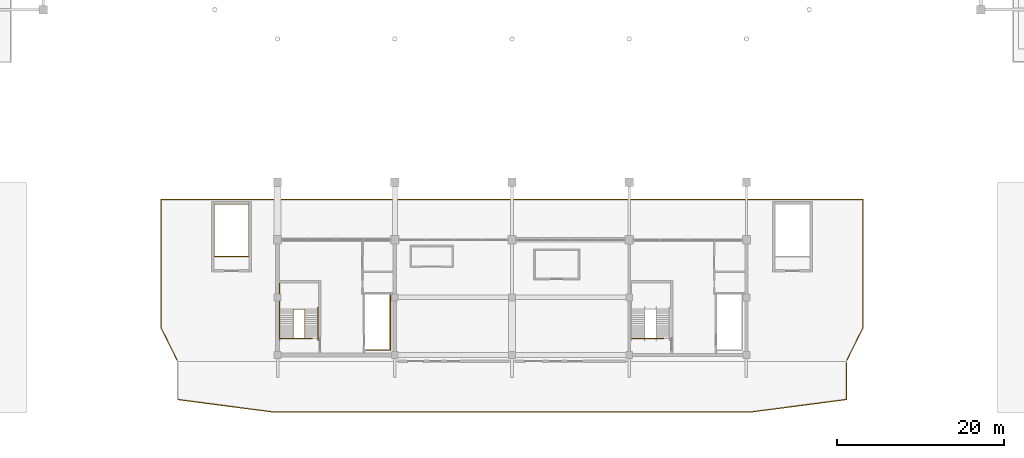
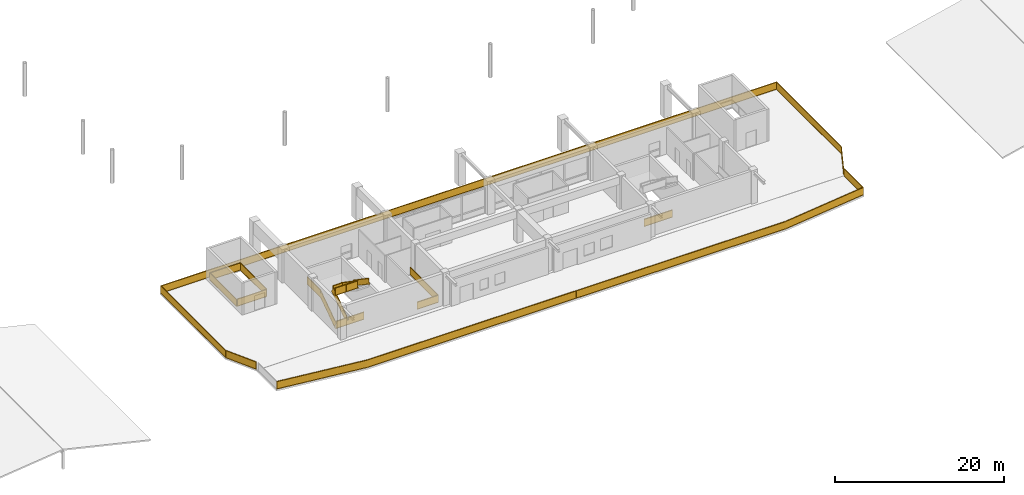
# One storey, part 80 of 91: 10 railings.
"""IFC4 building model written with IfcOpenShell, lengths in metres."""

from ifc_helpers import new_model, si_unit, direction, frame, origin, origin_2d, place, context, subcontext, project, spatial, rectangle, extrude, material, type_object, element, save


model = new_model("IFC4")

# Units and contexts
model_context = context("Model", 3, precision=1e-05, world=origin(), true_north=direction((0.0, 1.0)))
body_context = subcontext(model_context, "Body", "Model", "MODEL_VIEW")
ifc_project = project(units=[si_unit("LENGTHUNIT", "METRE"), si_unit("AREAUNIT", "SQUARE_METRE"), si_unit("VOLUMEUNIT", "CUBIC_METRE"), si_unit("PLANEANGLEUNIT", "RADIAN"), si_unit("MASSUNIT", "GRAM", prefix="KILO")], contexts=[model_context])

# Site, building, storey
site_placement = place(None, origin())
site = spatial("IfcSite", under=ifc_project, at=site_placement, CompositionType="ELEMENT")
building_placement = place(site_placement, origin())
building = spatial("IfcBuilding", under=site, at=building_placement, Name="Linyun Crest Stadium", CompositionType="ELEMENT")
storey_placement = place(building_placement, frame((0.0, 0.0, 11.39990234375)))
storey = spatial("IfcBuildingStorey", under=building, at=storey_placement, Name="L03", CompositionType="ELEMENT", Elevation=11.39990234375)

# Railings
ifc_material_1 = material(Name="Verdigris painted steel botanical balustrade", Category="steel")
railing_type_1 = type_object("IfcRailingType", Name="GR01", PredefinedType="BALUSTRADE", material=ifc_material_1)
railing_1_placement = place(storey_placement, frame((39.93994140625, -88.179931640625, 0.0)))
element("IfcRailing", 1, at=railing_1_placement, inside=storey, type_object=railing_type_1, Name="Slab edge balustrade GR01 274", PredefinedType="BALUSTRADE", context=body_context, shape_type="SweptSolid", body=[
    extrude(rectangle(XDim=0.06005859375, YDim=0.06005859375, at=origin_2d()), frame((0.0, 0.0, 1.119873046875), z_axis=(0.0, -1.0, 0.0), x_axis=(1.0, 0.0, 0.0)), (0.0, 0.0, 1.0), 4.39208984375),
    extrude(rectangle(XDim=0.030029296875, YDim=1.02978515625, at=origin_2d()), frame((0.0, 0.0, 0.574951171875), z_axis=(0.0, -1.0, 0.0), x_axis=(1.0, 0.0, 0.0)), (0.0, 0.0, 1.0), 4.39208984375),
    extrude(rectangle(XDim=0.06005859375, YDim=0.06005859375, at=origin_2d()), frame((0.0, 0.0, 0.030029296875), z_axis=(0.0, -1.0, 0.0), x_axis=(1.0, 0.0, 0.0)), (0.0, 0.0, 1.0), 4.39208984375),
    extrude(rectangle(XDim=0.06005859375, YDim=0.06005859375, at=origin_2d()), frame((0.0, -4.39208984375, 1.119873046875), z_axis=(-0.99159769784, -0.129359984689, 0.0), x_axis=(0.129359984689, -0.99159769784, 0.0)), (0.0, 0.0, 1.0), 11.540771484375),
    extrude(rectangle(XDim=0.030029296875, YDim=1.02978515625, at=origin_2d()), frame((0.0, -4.39208984375, 0.574951171875), z_axis=(-0.99159769784, -0.129359984689, 0.0), x_axis=(0.129359984689, -0.99159769784, 0.0)), (0.0, 0.0, 1.0), 11.540771484375),
    extrude(rectangle(XDim=0.06005859375, YDim=0.06005859375, at=origin_2d()), frame((0.0, -4.39208984375, 0.030029296875), z_axis=(-0.99159769784, -0.129359984689, 0.0), x_axis=(0.129359984689, -0.99159769784, 0.0)), (0.0, 0.0, 1.0), 11.540771484375),
    extrude(rectangle(XDim=0.06005859375, YDim=0.06005859375, at=origin_2d()), frame((-11.44384765625, -5.885009765625, 1.119873046875), z_axis=(-1.0, 0.0, 0.0), x_axis=(0.0, -1.0, 0.0)), (0.0, 0.0, 1.0), 56.9921875),
    extrude(rectangle(XDim=0.030029296875, YDim=1.02978515625, at=origin_2d()), frame((-11.44384765625, -5.885009765625, 0.574951171875), z_axis=(-1.0, 0.0, 0.0), x_axis=(0.0, -1.0, 0.0)), (0.0, 0.0, 1.0), 56.9921875),
    extrude(rectangle(XDim=0.06005859375, YDim=0.06005859375, at=origin_2d()), frame((-11.44384765625, -5.885009765625, 0.030029296875), z_axis=(-1.0, 0.0, 0.0), x_axis=(0.0, -1.0, 0.0)), (0.0, 0.0, 1.0), 56.9921875),
    extrude(rectangle(XDim=0.06005859375, YDim=0.06005859375, at=origin_2d()), frame((-68.43603515625, -5.885009765625, 1.119873046875), z_axis=(-0.99159769784, 0.129359984689, 0.0), x_axis=(-0.129359984689, -0.99159769784, 0.0)), (0.0, 0.0, 1.0), 11.540771484375),
    extrude(rectangle(XDim=0.030029296875, YDim=1.02978515625, at=origin_2d()), frame((-68.43603515625, -5.885009765625, 0.574951171875), z_axis=(-0.99159769784, 0.129359984689, 0.0), x_axis=(-0.129359984689, -0.99159769784, 0.0)), (0.0, 0.0, 1.0), 11.540771484375),
    extrude(rectangle(XDim=0.06005859375, YDim=0.06005859375, at=origin_2d()), frame((-68.43603515625, -5.885009765625, 0.030029296875), z_axis=(-0.99159769784, 0.129359984689, 0.0), x_axis=(-0.129359984689, -0.99159769784, 0.0)), (0.0, 0.0, 1.0), 11.540771484375),
    extrude(rectangle(XDim=0.050048828125, YDim=0.050048828125, at=origin_2d()), origin(), (0.0, 0.0, 1.0), 1.14990234375),
    extrude(rectangle(XDim=0.050048828125, YDim=0.050048828125, at=origin_2d()), frame((0.0, -4.39208984375, 0.0)), (0.0, 0.0, 1.0), 1.14990234375),
    extrude(rectangle(XDim=0.050048828125, YDim=0.050048828125, at=origin_2d()), frame((-3.814697265625, -4.8896484375, 0.0)), (0.0, 0.0, 1.0), 1.14990234375),
    extrude(rectangle(XDim=0.050048828125, YDim=0.050048828125, at=origin_2d()), frame((-7.629150390625, -5.387451171875, 0.0)), (0.0, 0.0, 1.0), 1.14990234375),
    extrude(rectangle(XDim=0.050048828125, YDim=0.050048828125, at=origin_2d()), frame((-11.44384765625, -5.885009765625, 0.0)), (0.0, 0.0, 1.0), 1.14990234375),
    extrude(rectangle(XDim=0.050048828125, YDim=0.050048828125, at=origin_2d()), frame((-16.193115234375, -5.885009765625, 0.0)), (0.0, 0.0, 1.0), 1.14990234375),
    extrude(rectangle(XDim=0.050048828125, YDim=0.050048828125, at=origin_2d()), frame((-20.942626953125, -5.885009765625, 0.0)), (0.0, 0.0, 1.0), 1.14990234375),
    extrude(rectangle(XDim=0.050048828125, YDim=0.050048828125, at=origin_2d()), frame((-25.69189453125, -5.885009765625, 0.0)), (0.0, 0.0, 1.0), 1.14990234375),
    extrude(rectangle(XDim=0.050048828125, YDim=0.050048828125, at=origin_2d()), frame((-30.441162109375, -5.885009765625, 0.0)), (0.0, 0.0, 1.0), 1.14990234375),
    extrude(rectangle(XDim=0.050048828125, YDim=0.050048828125, at=origin_2d()), frame((-35.190673828125, -5.885009765625, 0.0)), (0.0, 0.0, 1.0), 1.14990234375),
    extrude(rectangle(XDim=0.050048828125, YDim=0.050048828125, at=origin_2d()), frame((-39.93994140625, -5.885009765625, 0.0)), (0.0, 0.0, 1.0), 1.14990234375),
    extrude(rectangle(XDim=0.050048828125, YDim=0.050048828125, at=origin_2d()), frame((-44.689208984375, -5.885009765625, 0.0)), (0.0, 0.0, 1.0), 1.14990234375),
    extrude(rectangle(XDim=0.050048828125, YDim=0.050048828125, at=origin_2d()), frame((-49.438720703125, -5.885009765625, 0.0)), (0.0, 0.0, 1.0), 1.14990234375),
    extrude(rectangle(XDim=0.050048828125, YDim=0.050048828125, at=origin_2d()), frame((-54.18798828125, -5.885009765625, 0.0)), (0.0, 0.0, 1.0), 1.14990234375),
    extrude(rectangle(XDim=0.050048828125, YDim=0.050048828125, at=origin_2d()), frame((-58.937255859375, -5.885009765625, 0.0)), (0.0, 0.0, 1.0), 1.14990234375),
    extrude(rectangle(XDim=0.050048828125, YDim=0.050048828125, at=origin_2d()), frame((-63.686767578125, -5.885009765625, 0.0)), (0.0, 0.0, 1.0), 1.14990234375),
    extrude(rectangle(XDim=0.050048828125, YDim=0.050048828125, at=origin_2d()), frame((-68.43603515625, -5.885009765625, 0.0)), (0.0, 0.0, 1.0), 1.14990234375),
    extrude(rectangle(XDim=0.050048828125, YDim=0.050048828125, at=origin_2d()), frame((-72.250732421875, -5.387451171875, 0.0)), (0.0, 0.0, 1.0), 1.14990234375),
    extrude(rectangle(XDim=0.050048828125, YDim=0.050048828125, at=origin_2d()), frame((-76.065185546875, -4.8896484375, 0.0)), (0.0, 0.0, 1.0), 1.14990234375),
    extrude(rectangle(XDim=0.050048828125, YDim=0.050048828125, at=origin_2d()), frame((-79.8798828125, -4.39208984375, 0.0)), (0.0, 0.0, 1.0), 1.14990234375),
])
ifc_material_2 = material(Name="Galvanized and powder-coated steel bowl safety barrier", Category="steel")
railing_type_2 = type_object("IfcRailingType", Name="GR02", PredefinedType="GUARDRAIL", material=ifc_material_2)
railing_2_placement = place(storey_placement, frame((-40.012939453125, -87.841064453125, 0.0)))
element("IfcRailing", 2, at=railing_2_placement, inside=storey, type_object=railing_type_2, Name="Slab edge balustrade GR02 261", PredefinedType="GUARDRAIL", context=body_context, shape_type="SweptSolid", body=[
    extrude(rectangle(XDim=0.06005859375, YDim=0.06005859375, at=origin_2d()), frame((0.0, 0.0, 1.090087890625), z_axis=(-0.447122956345, 0.894472504837, 0.0), x_axis=(-0.894472504837, -0.447122956345, 0.0)), (0.0, 0.0, 1.0), 4.309814453125),
    extrude(rectangle(XDim=0.030029296875, YDim=1.0, at=origin_2d()), frame((0.0, 0.0, 0.56005859375), z_axis=(-0.447122956345, 0.894472504837, 0.0), x_axis=(-0.894472504837, -0.447122956345, 0.0)), (0.0, 0.0, 1.0), 4.309814453125),
    extrude(rectangle(XDim=0.06005859375, YDim=0.06005859375, at=origin_2d()), frame((0.0, 0.0, 0.030029296875), z_axis=(-0.447122956345, 0.894472504837, 0.0), x_axis=(-0.894472504837, -0.447122956345, 0.0)), (0.0, 0.0, 1.0), 4.309814453125),
    extrude(rectangle(XDim=0.06005859375, YDim=0.06005859375, at=origin_2d()), frame((-1.927001953125, 3.85498046875, 1.090087890625), z_axis=(0.0, 1.0, 0.0), x_axis=(-1.0, 0.0, 0.0)), (0.0, 0.0, 1.0), 15.326171875),
    extrude(rectangle(XDim=0.030029296875, YDim=1.0, at=origin_2d()), frame((-1.927001953125, 3.85498046875, 0.56005859375), z_axis=(0.0, 1.0, 0.0), x_axis=(-1.0, 0.0, 0.0)), (0.0, 0.0, 1.0), 15.326171875),
    extrude(rectangle(XDim=0.06005859375, YDim=0.06005859375, at=origin_2d()), frame((-1.927001953125, 3.85498046875, 0.030029296875), z_axis=(0.0, 1.0, 0.0), x_axis=(-1.0, 0.0, 0.0)), (0.0, 0.0, 1.0), 15.326171875),
    extrude(rectangle(XDim=0.06005859375, YDim=0.06005859375, at=origin_2d()), frame((-1.927001953125, 19.18115234375, 1.090087890625), z_axis=(1.0, 0.0, 0.0), x_axis=(0.0, 1.0, 0.0)), (0.0, 0.0, 1.0), 83.8798828125),
    extrude(rectangle(XDim=0.030029296875, YDim=1.0, at=origin_2d()), frame((-1.927001953125, 19.18115234375, 0.56005859375), z_axis=(1.0, 0.0, 0.0), x_axis=(0.0, 1.0, 0.0)), (0.0, 0.0, 1.0), 83.8798828125),
    extrude(rectangle(XDim=0.06005859375, YDim=0.06005859375, at=origin_2d()), frame((-1.927001953125, 19.18115234375, 0.030029296875), z_axis=(1.0, 0.0, 0.0), x_axis=(0.0, 1.0, 0.0)), (0.0, 0.0, 1.0), 83.8798828125),
    extrude(rectangle(XDim=0.06005859375, YDim=0.06005859375, at=origin_2d()), frame((81.952880859375, 19.18115234375, 1.090087890625), z_axis=(0.0, -1.0, 0.0), x_axis=(1.0, 0.0, 0.0)), (0.0, 0.0, 1.0), 15.326171875),
    extrude(rectangle(XDim=0.030029296875, YDim=1.0, at=origin_2d()), frame((81.952880859375, 19.18115234375, 0.56005859375), z_axis=(0.0, -1.0, 0.0), x_axis=(1.0, 0.0, 0.0)), (0.0, 0.0, 1.0), 15.326171875),
    extrude(rectangle(XDim=0.06005859375, YDim=0.06005859375, at=origin_2d()), frame((81.952880859375, 19.18115234375, 0.030029296875), z_axis=(0.0, -1.0, 0.0), x_axis=(1.0, 0.0, 0.0)), (0.0, 0.0, 1.0), 15.326171875),
    extrude(rectangle(XDim=0.06005859375, YDim=0.06005859375, at=origin_2d()), frame((81.952880859375, 3.85498046875, 1.090087890625), z_axis=(-0.447122956345, -0.894472504837, 0.0), x_axis=(0.894472504837, -0.447122956345, 0.0)), (0.0, 0.0, 1.0), 4.309814453125),
    extrude(rectangle(XDim=0.030029296875, YDim=1.0, at=origin_2d()), frame((81.952880859375, 3.85498046875, 0.56005859375), z_axis=(-0.447122956345, -0.894472504837, 0.0), x_axis=(0.894472504837, -0.447122956345, 0.0)), (0.0, 0.0, 1.0), 4.309814453125),
    extrude(rectangle(XDim=0.06005859375, YDim=0.06005859375, at=origin_2d()), frame((81.952880859375, 3.85498046875, 0.030029296875), z_axis=(-0.447122956345, -0.894472504837, 0.0), x_axis=(0.894472504837, -0.447122956345, 0.0)), (0.0, 0.0, 1.0), 4.309814453125),
    extrude(rectangle(XDim=0.050048828125, YDim=0.050048828125, at=origin_2d()), origin(), (0.0, 0.0, 1.0), 1.1201171875),
    extrude(rectangle(XDim=0.050048828125, YDim=0.050048828125, at=origin_2d()), frame((-1.927001953125, 3.85498046875, 0.0)), (0.0, 0.0, 1.0), 1.1201171875),
    extrude(rectangle(XDim=0.050048828125, YDim=0.050048828125, at=origin_2d()), frame((-1.927001953125, 7.6865234375, 0.0)), (0.0, 0.0, 1.0), 1.1201171875),
    extrude(rectangle(XDim=0.050048828125, YDim=0.050048828125, at=origin_2d()), frame((-1.927001953125, 11.51806640625, 0.0)), (0.0, 0.0, 1.0), 1.1201171875),
    extrude(rectangle(XDim=0.050048828125, YDim=0.050048828125, at=origin_2d()), frame((-1.927001953125, 15.349609375, 0.0)), (0.0, 0.0, 1.0), 1.1201171875),
    extrude(rectangle(XDim=0.050048828125, YDim=0.050048828125, at=origin_2d()), frame((-1.927001953125, 19.18115234375, 0.0)), (0.0, 0.0, 1.0), 1.1201171875),
    extrude(rectangle(XDim=0.050048828125, YDim=0.050048828125, at=origin_2d()), frame((2.73291015625, 19.18115234375, 0.0)), (0.0, 0.0, 1.0), 1.1201171875),
    extrude(rectangle(XDim=0.050048828125, YDim=0.050048828125, at=origin_2d()), frame((7.39306640625, 19.18115234375, 0.0)), (0.0, 0.0, 1.0), 1.1201171875),
    extrude(rectangle(XDim=0.050048828125, YDim=0.050048828125, at=origin_2d()), frame((12.052978515625, 19.18115234375, 0.0)), (0.0, 0.0, 1.0), 1.1201171875),
    extrude(rectangle(XDim=0.050048828125, YDim=0.050048828125, at=origin_2d()), frame((16.712890625, 19.18115234375, 0.0)), (0.0, 0.0, 1.0), 1.1201171875),
    extrude(rectangle(XDim=0.050048828125, YDim=0.050048828125, at=origin_2d()), frame((21.373046875, 19.18115234375, 0.0)), (0.0, 0.0, 1.0), 1.1201171875),
    extrude(rectangle(XDim=0.050048828125, YDim=0.050048828125, at=origin_2d()), frame((26.032958984375, 19.18115234375, 0.0)), (0.0, 0.0, 1.0), 1.1201171875),
    extrude(rectangle(XDim=0.050048828125, YDim=0.050048828125, at=origin_2d()), frame((30.69287109375, 19.18115234375, 0.0)), (0.0, 0.0, 1.0), 1.1201171875),
    extrude(rectangle(XDim=0.050048828125, YDim=0.050048828125, at=origin_2d()), frame((35.35302734375, 19.18115234375, 0.0)), (0.0, 0.0, 1.0), 1.1201171875),
    extrude(rectangle(XDim=0.050048828125, YDim=0.050048828125, at=origin_2d()), frame((40.012939453125, 19.18115234375, 0.0)), (0.0, 0.0, 1.0), 1.1201171875),
    extrude(rectangle(XDim=0.050048828125, YDim=0.050048828125, at=origin_2d()), frame((44.6728515625, 19.18115234375, 0.0)), (0.0, 0.0, 1.0), 1.1201171875),
    extrude(rectangle(XDim=0.050048828125, YDim=0.050048828125, at=origin_2d()), frame((49.3330078125, 19.18115234375, 0.0)), (0.0, 0.0, 1.0), 1.1201171875),
    extrude(rectangle(XDim=0.050048828125, YDim=0.050048828125, at=origin_2d()), frame((53.992919921875, 19.18115234375, 0.0)), (0.0, 0.0, 1.0), 1.1201171875),
    extrude(rectangle(XDim=0.050048828125, YDim=0.050048828125, at=origin_2d()), frame((58.65283203125, 19.18115234375, 0.0)), (0.0, 0.0, 1.0), 1.1201171875),
    extrude(rectangle(XDim=0.050048828125, YDim=0.050048828125, at=origin_2d()), frame((63.31298828125, 19.18115234375, 0.0)), (0.0, 0.0, 1.0), 1.1201171875),
    extrude(rectangle(XDim=0.050048828125, YDim=0.050048828125, at=origin_2d()), frame((67.972900390625, 19.18115234375, 0.0)), (0.0, 0.0, 1.0), 1.1201171875),
    extrude(rectangle(XDim=0.050048828125, YDim=0.050048828125, at=origin_2d()), frame((72.6328125, 19.18115234375, 0.0)), (0.0, 0.0, 1.0), 1.1201171875),
    extrude(rectangle(XDim=0.050048828125, YDim=0.050048828125, at=origin_2d()), frame((77.29296875, 19.18115234375, 0.0)), (0.0, 0.0, 1.0), 1.1201171875),
    extrude(rectangle(XDim=0.050048828125, YDim=0.050048828125, at=origin_2d()), frame((81.952880859375, 19.18115234375, 0.0)), (0.0, 0.0, 1.0), 1.1201171875),
    extrude(rectangle(XDim=0.050048828125, YDim=0.050048828125, at=origin_2d()), frame((81.952880859375, 15.349609375, 0.0)), (0.0, 0.0, 1.0), 1.1201171875),
    extrude(rectangle(XDim=0.050048828125, YDim=0.050048828125, at=origin_2d()), frame((81.952880859375, 11.51806640625, 0.0)), (0.0, 0.0, 1.0), 1.1201171875),
    extrude(rectangle(XDim=0.050048828125, YDim=0.050048828125, at=origin_2d()), frame((81.952880859375, 7.6865234375, 0.0)), (0.0, 0.0, 1.0), 1.1201171875),
    extrude(rectangle(XDim=0.050048828125, YDim=0.050048828125, at=origin_2d()), frame((81.952880859375, 3.85498046875, 0.0)), (0.0, 0.0, 1.0), 1.1201171875),
    extrude(rectangle(XDim=0.050048828125, YDim=0.050048828125, at=origin_2d()), frame((80.02587890625, 0.0, 0.0)), (0.0, 0.0, 1.0), 1.1201171875),
])
railing_3_placement = place(storey_placement, frame((14.31494140625, -85.2900390625, 0.0)))
element("IfcRailing", 3, at=railing_3_placement, inside=storey, type_object=railing_type_2, Name="Slab edge balustrade GR02 264", PredefinedType="GUARDRAIL", context=body_context, shape_type="SweptSolid", body=[
    extrude(rectangle(XDim=0.06005859375, YDim=0.06005859375, at=origin_2d()), frame((0.0, 0.0, 1.090087890625), z_axis=(1.0, 0.0, 0.0), x_axis=(0.0, 1.0, 0.0)), (0.0, 0.0, 1.0), 3.78515625),
    extrude(rectangle(XDim=0.030029296875, YDim=1.0, at=origin_2d()), frame((0.0, 0.0, 0.56005859375), z_axis=(1.0, 0.0, 0.0), x_axis=(0.0, 1.0, 0.0)), (0.0, 0.0, 1.0), 3.78515625),
    extrude(rectangle(XDim=0.06005859375, YDim=0.06005859375, at=origin_2d()), frame((0.0, 0.0, 0.030029296875), z_axis=(1.0, 0.0, 0.0), x_axis=(0.0, 1.0, 0.0)), (0.0, 0.0, 1.0), 3.78515625),
    extrude(rectangle(XDim=0.050048828125, YDim=0.050048828125, at=origin_2d()), origin(), (0.0, 0.0, 1.0), 1.1201171875),
    extrude(rectangle(XDim=0.050048828125, YDim=0.050048828125, at=origin_2d()), frame((3.78515625, 0.0, 0.0)), (0.0, 0.0, 1.0), 1.1201171875),
])
railing_4_placement = place(storey_placement, frame((-17.419921875, -86.659912109375, 0.0)))
element("IfcRailing", 4, at=railing_4_placement, inside=storey, type_object=railing_type_2, Name="Slab edge balustrade GR02 265", PredefinedType="GUARDRAIL", context=body_context, shape_type="SweptSolid", body=[
    extrude(rectangle(XDim=0.06005859375, YDim=0.06005859375, at=origin_2d()), frame((0.0, 0.0, 1.090087890625), z_axis=(1.0, 0.0, 0.0), x_axis=(0.0, 1.0, 0.0)), (0.0, 0.0, 1.0), 2.8798828125),
    extrude(rectangle(XDim=0.030029296875, YDim=1.0, at=origin_2d()), frame((0.0, 0.0, 0.56005859375), z_axis=(1.0, 0.0, 0.0), x_axis=(0.0, 1.0, 0.0)), (0.0, 0.0, 1.0), 2.8798828125),
    extrude(rectangle(XDim=0.06005859375, YDim=0.06005859375, at=origin_2d()), frame((0.0, 0.0, 0.030029296875), z_axis=(1.0, 0.0, 0.0), x_axis=(0.0, 1.0, 0.0)), (0.0, 0.0, 1.0), 2.8798828125),
    extrude(rectangle(XDim=0.06005859375, YDim=0.06005859375, at=origin_2d()), frame((2.8798828125, 0.0, 1.090087890625), z_axis=(0.0, 1.0, 0.0), x_axis=(-1.0, 0.0, 0.0)), (0.0, 0.0, 1.0), 6.5498046875),
    extrude(rectangle(XDim=0.030029296875, YDim=1.0, at=origin_2d()), frame((2.8798828125, 0.0, 0.56005859375), z_axis=(0.0, 1.0, 0.0), x_axis=(-1.0, 0.0, 0.0)), (0.0, 0.0, 1.0), 6.5498046875),
    extrude(rectangle(XDim=0.06005859375, YDim=0.06005859375, at=origin_2d()), frame((2.8798828125, 0.0, 0.030029296875), z_axis=(0.0, 1.0, 0.0), x_axis=(-1.0, 0.0, 0.0)), (0.0, 0.0, 1.0), 6.5498046875),
    extrude(rectangle(XDim=0.050048828125, YDim=0.050048828125, at=origin_2d()), origin(), (0.0, 0.0, 1.0), 1.1201171875),
    extrude(rectangle(XDim=0.050048828125, YDim=0.050048828125, at=origin_2d()), frame((2.8798828125, 0.0, 0.0)), (0.0, 0.0, 1.0), 1.1201171875),
    extrude(rectangle(XDim=0.050048828125, YDim=0.050048828125, at=origin_2d()), frame((2.8798828125, 3.27490234375, 0.0)), (0.0, 0.0, 1.0), 1.1201171875),
    extrude(rectangle(XDim=0.050048828125, YDim=0.050048828125, at=origin_2d()), frame((2.8798828125, 6.5498046875, 0.0)), (0.0, 0.0, 1.0), 1.1201171875),
])
railing_5_placement = place(storey_placement, frame((-27.635009765625, -85.2900390625, 0.0)))
element("IfcRailing", 5, at=railing_5_placement, inside=storey, type_object=railing_type_2, Name="Slab edge balustrade GR02 266", PredefinedType="GUARDRAIL", context=body_context, shape_type="SweptSolid", body=[
    extrude(rectangle(XDim=0.06005859375, YDim=0.06005859375, at=origin_2d()), frame((0.0, 0.0, 1.090087890625), z_axis=(1.0, 0.0, 0.0), x_axis=(0.0, 1.0, 0.0)), (0.0, 0.0, 1.0), 3.735107421875),
    extrude(rectangle(XDim=0.030029296875, YDim=1.0, at=origin_2d()), frame((0.0, 0.0, 0.56005859375), z_axis=(1.0, 0.0, 0.0), x_axis=(0.0, 1.0, 0.0)), (0.0, 0.0, 1.0), 3.735107421875),
    extrude(rectangle(XDim=0.06005859375, YDim=0.06005859375, at=origin_2d()), frame((0.0, 0.0, 0.030029296875), z_axis=(1.0, 0.0, 0.0), x_axis=(0.0, 1.0, 0.0)), (0.0, 0.0, 1.0), 3.735107421875),
    extrude(rectangle(XDim=0.050048828125, YDim=0.050048828125, at=origin_2d()), origin(), (0.0, 0.0, 1.0), 1.1201171875),
    extrude(rectangle(XDim=0.050048828125, YDim=0.050048828125, at=origin_2d()), frame((3.735107421875, 0.0, 0.0)), (0.0, 0.0, 1.0), 1.1201171875),
])
railing_6_placement = place(storey_placement, frame((-35.4599609375, -75.510009765625, 0.0)))
element("IfcRailing", 6, at=railing_6_placement, inside=storey, type_object=railing_type_2, Name="Slab edge balustrade GR02 267", PredefinedType="GUARDRAIL", context=body_context, shape_type="SweptSolid", body=[
    extrude(rectangle(XDim=0.06005859375, YDim=0.06005859375, at=origin_2d()), frame((0.0, 0.0, 1.090087890625), z_axis=(1.0, 0.0, 0.0), x_axis=(0.0, 1.0, 0.0)), (0.0, 0.0, 1.0), 3.919921875),
    extrude(rectangle(XDim=0.030029296875, YDim=1.0, at=origin_2d()), frame((0.0, 0.0, 0.56005859375), z_axis=(1.0, 0.0, 0.0), x_axis=(0.0, 1.0, 0.0)), (0.0, 0.0, 1.0), 3.919921875),
    extrude(rectangle(XDim=0.06005859375, YDim=0.06005859375, at=origin_2d()), frame((0.0, 0.0, 0.030029296875), z_axis=(1.0, 0.0, 0.0), x_axis=(0.0, 1.0, 0.0)), (0.0, 0.0, 1.0), 3.919921875),
    extrude(rectangle(XDim=0.050048828125, YDim=0.050048828125, at=origin_2d()), origin(), (0.0, 0.0, 1.0), 1.1201171875),
    extrude(rectangle(XDim=0.050048828125, YDim=0.050048828125, at=origin_2d()), frame((3.919921875, 0.0, 0.0)), (0.0, 0.0, 1.0), 1.1201171875),
])
ifc_material_3 = material(Name="Painted steel stairwell safety guard", Category="steel")
railing_type_3 = type_object("IfcRailingType", Name="GR03", PredefinedType="GUARDRAIL", material=ifc_material_3)
railing_7_placement = place(storey_placement, frame((-27.7451171875, -85.260009765625, 0.0)))
element("IfcRailing", 7, at=railing_7_placement, inside=storey, type_object=railing_type_3, Name="STR-09-L03 outer guard", PredefinedType="GUARDRAIL", context=body_context, shape_type="SweptSolid", body=[
    extrude(rectangle(XDim=0.06005859375, YDim=0.06005859375, at=origin_2d()), frame((0.0, 0.0, 1.090087890625), z_axis=(0.0, 0.824712752785, 0.565551832633), x_axis=(-1.0, 0.0, 0.0)), (0.0, 0.0, 1.0), 4.243896484375),
    extrude(rectangle(XDim=0.030029296875, YDim=1.0, at=origin_2d()), frame((0.0, 0.0, 0.56005859375), z_axis=(0.0, 0.824712752785, 0.565551832633), x_axis=(-1.0, 0.0, 0.0)), (0.0, 0.0, 1.0), 4.243896484375),
    extrude(rectangle(XDim=0.06005859375, YDim=0.06005859375, at=origin_2d()), frame((0.0, 0.0, 0.030029296875), z_axis=(0.0, 0.824712752785, 0.565551832633), x_axis=(-1.0, 0.0, 0.0)), (0.0, 0.0, 1.0), 4.243896484375),
    extrude(rectangle(XDim=0.06005859375, YDim=0.06005859375, at=origin_2d()), frame((0.0, 3.5, 3.490234375), z_axis=(0.0, 1.0, 0.0), x_axis=(-1.0, 0.0, 0.0)), (0.0, 0.0, 1.0), 3.080078125),
    extrude(rectangle(XDim=0.030029296875, YDim=1.0, at=origin_2d()), frame((0.0, 3.5, 2.960205078125), z_axis=(0.0, 1.0, 0.0), x_axis=(-1.0, 0.0, 0.0)), (0.0, 0.0, 1.0), 3.080078125),
    extrude(rectangle(XDim=0.06005859375, YDim=0.06005859375, at=origin_2d()), frame((0.0, 3.5, 2.43017578125), z_axis=(0.0, 1.0, 0.0), x_axis=(-1.0, 0.0, 0.0)), (0.0, 0.0, 1.0), 3.080078125),
    extrude(rectangle(XDim=0.050048828125, YDim=0.050048828125, at=origin_2d()), origin(), (0.0, 0.0, 1.0), 1.1201171875),
    extrude(rectangle(XDim=0.050048828125, YDim=0.050048828125, at=origin_2d()), frame((0.0, 1.166748046875, 0.800048828125)), (0.0, 0.0, 1.0), 1.1201171875),
    extrude(rectangle(XDim=0.050048828125, YDim=0.050048828125, at=origin_2d()), frame((0.0, 2.333251953125, 1.60009765625)), (0.0, 0.0, 1.0), 1.1201171875),
    extrude(rectangle(XDim=0.050048828125, YDim=0.050048828125, at=origin_2d()), frame((0.0, 3.5, 2.400146484375)), (0.0, 0.0, 1.0), 1.1201171875),
    extrude(rectangle(XDim=0.050048828125, YDim=0.050048828125, at=origin_2d()), frame((0.0, 5.0400390625, 2.400146484375)), (0.0, 0.0, 1.0), 1.1201171875),
    extrude(rectangle(XDim=0.050048828125, YDim=0.050048828125, at=origin_2d()), frame((0.0, 6.580078125, 2.400146484375)), (0.0, 0.0, 1.0), 1.1201171875),
])
railing_8_placement = place(storey_placement, frame((-26.10498046875, -85.280029296875, 0.0)))
element("IfcRailing", 8, at=railing_8_placement, inside=storey, type_object=railing_type_3, Name="STR-09-L03 inner well guard", PredefinedType="GUARDRAIL", context=body_context, shape_type="SweptSolid", body=[
    extrude(rectangle(XDim=0.06005859375, YDim=0.06005859375, at=origin_2d()), frame((0.0, 0.0, 1.090087890625), z_axis=(0.0, 0.826212794201, 0.563358162005), x_axis=(-1.0, 0.0, 0.0)), (0.0, 0.0, 1.0), 4.260498046875),
    extrude(rectangle(XDim=0.030029296875, YDim=1.0, at=origin_2d()), frame((0.0, 0.0, 0.56005859375), z_axis=(0.0, 0.826212794201, 0.563358162005), x_axis=(-1.0, 0.0, 0.0)), (0.0, 0.0, 1.0), 4.260498046875),
    extrude(rectangle(XDim=0.06005859375, YDim=0.06005859375, at=origin_2d()), frame((0.0, 0.0, 0.030029296875), z_axis=(0.0, 0.826212794201, 0.563358162005), x_axis=(-1.0, 0.0, 0.0)), (0.0, 0.0, 1.0), 4.260498046875),
    extrude(rectangle(XDim=0.06005859375, YDim=0.06005859375, at=origin_2d()), frame((0.0, 3.52001953125, 3.490234375), z_axis=(1.0, 0.0, 0.0), x_axis=(0.0, 1.0, 0.0)), (0.0, 0.0, 1.0), 1.3349609375),
    extrude(rectangle(XDim=0.030029296875, YDim=1.0, at=origin_2d()), frame((0.0, 3.52001953125, 2.960205078125), z_axis=(1.0, 0.0, 0.0), x_axis=(0.0, 1.0, 0.0)), (0.0, 0.0, 1.0), 1.3349609375),
    extrude(rectangle(XDim=0.06005859375, YDim=0.06005859375, at=origin_2d()), frame((0.0, 3.52001953125, 2.43017578125), z_axis=(1.0, 0.0, 0.0), x_axis=(0.0, 1.0, 0.0)), (0.0, 0.0, 1.0), 1.3349609375),
    extrude(rectangle(XDim=0.06005859375, YDim=0.06005859375, at=origin_2d()), frame((1.3349609375, 3.52001953125, 3.490234375), z_axis=(0.0, -0.826239466617, 0.563319042644), x_axis=(1.0, 0.0, 0.0)), (0.0, 0.0, 1.0), 4.26025390625),
    extrude(rectangle(XDim=0.030029296875, YDim=1.0, at=origin_2d()), frame((1.3349609375, 3.52001953125, 2.960205078125), z_axis=(0.0, -0.826239466617, 0.563319042644), x_axis=(1.0, 0.0, 0.0)), (0.0, 0.0, 1.0), 4.26025390625),
    extrude(rectangle(XDim=0.06005859375, YDim=0.06005859375, at=origin_2d()), frame((1.3349609375, 3.52001953125, 2.43017578125), z_axis=(0.0, -0.826239466617, 0.563319042644), x_axis=(1.0, 0.0, 0.0)), (0.0, 0.0, 1.0), 4.26025390625),
    extrude(rectangle(XDim=0.06005859375, YDim=0.06005859375, at=origin_2d()), frame((1.3349609375, 0.0, 5.89013671875), z_axis=(-1.0, 0.0, 0.0), x_axis=(0.0, -1.0, 0.0)), (0.0, 0.0, 1.0), 2.98486328125),
    extrude(rectangle(XDim=0.030029296875, YDim=1.0, at=origin_2d()), frame((1.3349609375, 0.0, 5.360107421875), z_axis=(-1.0, 0.0, 0.0), x_axis=(0.0, -1.0, 0.0)), (0.0, 0.0, 1.0), 2.98486328125),
    extrude(rectangle(XDim=0.06005859375, YDim=0.06005859375, at=origin_2d()), frame((1.3349609375, 0.0, 4.830078125), z_axis=(-1.0, 0.0, 0.0), x_axis=(0.0, -1.0, 0.0)), (0.0, 0.0, 1.0), 2.98486328125),
    extrude(rectangle(XDim=0.050048828125, YDim=0.050048828125, at=origin_2d()), origin(), (0.0, 0.0, 1.0), 1.1201171875),
    extrude(rectangle(XDim=0.050048828125, YDim=0.050048828125, at=origin_2d()), frame((0.0, 1.17333984375, 0.800048828125)), (0.0, 0.0, 1.0), 1.1201171875),
    extrude(rectangle(XDim=0.050048828125, YDim=0.050048828125, at=origin_2d()), frame((0.0, 2.3466796875, 1.60009765625)), (0.0, 0.0, 1.0), 1.1201171875),
    extrude(rectangle(XDim=0.050048828125, YDim=0.050048828125, at=origin_2d()), frame((0.0, 3.52001953125, 2.400146484375)), (0.0, 0.0, 1.0), 1.1201171875),
    extrude(rectangle(XDim=0.050048828125, YDim=0.050048828125, at=origin_2d()), frame((1.3349609375, 3.52001953125, 2.400146484375)), (0.0, 0.0, 1.0), 1.1201171875),
    extrude(rectangle(XDim=0.050048828125, YDim=0.050048828125, at=origin_2d()), frame((1.3349609375, 2.3466796875, 3.2001953125)), (0.0, 0.0, 1.0), 1.1201171875),
    extrude(rectangle(XDim=0.050048828125, YDim=0.050048828125, at=origin_2d()), frame((1.3349609375, 1.17333984375, 4.0)), (0.0, 0.0, 1.0), 1.1201171875),
    extrude(rectangle(XDim=0.050048828125, YDim=0.050048828125, at=origin_2d()), frame((1.3349609375, 0.0, 4.800048828125)), (0.0, 0.0, 1.0), 1.1201171875),
    extrude(rectangle(XDim=0.050048828125, YDim=0.050048828125, at=origin_2d()), frame((-0.157470703125, 0.0, 4.800048828125)), (0.0, 0.0, 1.0), 1.1201171875),
    extrude(rectangle(XDim=0.050048828125, YDim=0.050048828125, at=origin_2d()), frame((-1.64990234375, 0.0, 4.800048828125)), (0.0, 0.0, 1.0), 1.1201171875),
])
railing_9_placement = place(storey_placement, frame((-35.570068359375, -75.469970703125, 0.0)))
element("IfcRailing", 9, at=railing_9_placement, inside=storey, type_object=railing_type_3, Name="STR-27-L02 top well guard", PredefinedType="GUARDRAIL", context=body_context, shape_type="SweptSolid", body=[
    extrude(rectangle(XDim=0.06005859375, YDim=0.06005859375, at=origin_2d()), frame((0.0, 0.0, 1.090087890625), z_axis=(0.0, 1.0, 0.0), x_axis=(-1.0, 0.0, 0.0)), (0.0, 0.0, 1.0), 6.239990234375),
    extrude(rectangle(XDim=0.030029296875, YDim=1.0, at=origin_2d()), frame((0.0, 0.0, 0.56005859375), z_axis=(0.0, 1.0, 0.0), x_axis=(-1.0, 0.0, 0.0)), (0.0, 0.0, 1.0), 6.239990234375),
    extrude(rectangle(XDim=0.06005859375, YDim=0.06005859375, at=origin_2d()), frame((0.0, 0.0, 0.030029296875), z_axis=(0.0, 1.0, 0.0), x_axis=(-1.0, 0.0, 0.0)), (0.0, 0.0, 1.0), 6.239990234375),
    extrude(rectangle(XDim=0.06005859375, YDim=0.06005859375, at=origin_2d()), frame((0.0, 6.239990234375, 1.090087890625), z_axis=(1.0, 0.0, 0.0), x_axis=(0.0, 1.0, 0.0)), (0.0, 0.0, 1.0), 4.14013671875),
    extrude(rectangle(XDim=0.030029296875, YDim=1.0, at=origin_2d()), frame((0.0, 6.239990234375, 0.56005859375), z_axis=(1.0, 0.0, 0.0), x_axis=(0.0, 1.0, 0.0)), (0.0, 0.0, 1.0), 4.14013671875),
    extrude(rectangle(XDim=0.06005859375, YDim=0.06005859375, at=origin_2d()), frame((0.0, 6.239990234375, 0.030029296875), z_axis=(1.0, 0.0, 0.0), x_axis=(0.0, 1.0, 0.0)), (0.0, 0.0, 1.0), 4.14013671875),
    extrude(rectangle(XDim=0.06005859375, YDim=0.06005859375, at=origin_2d()), frame((4.14013671875, 6.239990234375, 1.090087890625), z_axis=(0.0, -1.0, 0.0), x_axis=(1.0, 0.0, 0.0)), (0.0, 0.0, 1.0), 6.239990234375),
    extrude(rectangle(XDim=0.030029296875, YDim=1.0, at=origin_2d()), frame((4.14013671875, 6.239990234375, 0.56005859375), z_axis=(0.0, -1.0, 0.0), x_axis=(1.0, 0.0, 0.0)), (0.0, 0.0, 1.0), 6.239990234375),
    extrude(rectangle(XDim=0.06005859375, YDim=0.06005859375, at=origin_2d()), frame((4.14013671875, 6.239990234375, 0.030029296875), z_axis=(0.0, -1.0, 0.0), x_axis=(1.0, 0.0, 0.0)), (0.0, 0.0, 1.0), 6.239990234375),
    extrude(rectangle(XDim=0.050048828125, YDim=0.050048828125, at=origin_2d()), origin(), (0.0, 0.0, 1.0), 1.1201171875),
    extrude(rectangle(XDim=0.050048828125, YDim=0.050048828125, at=origin_2d()), frame((0.0, 1.56005859375, 0.0)), (0.0, 0.0, 1.0), 1.1201171875),
    extrude(rectangle(XDim=0.050048828125, YDim=0.050048828125, at=origin_2d()), frame((0.0, 3.1201171875, 0.0)), (0.0, 0.0, 1.0), 1.1201171875),
    extrude(rectangle(XDim=0.050048828125, YDim=0.050048828125, at=origin_2d()), frame((0.0, 4.679931640625, 0.0)), (0.0, 0.0, 1.0), 1.1201171875),
    extrude(rectangle(XDim=0.050048828125, YDim=0.050048828125, at=origin_2d()), frame((0.0, 6.239990234375, 0.0)), (0.0, 0.0, 1.0), 1.1201171875),
    extrude(rectangle(XDim=0.050048828125, YDim=0.050048828125, at=origin_2d()), frame((1.380126953125, 6.239990234375, 0.0)), (0.0, 0.0, 1.0), 1.1201171875),
    extrude(rectangle(XDim=0.050048828125, YDim=0.050048828125, at=origin_2d()), frame((2.760009765625, 6.239990234375, 0.0)), (0.0, 0.0, 1.0), 1.1201171875),
    extrude(rectangle(XDim=0.050048828125, YDim=0.050048828125, at=origin_2d()), frame((4.14013671875, 6.239990234375, 0.0)), (0.0, 0.0, 1.0), 1.1201171875),
    extrude(rectangle(XDim=0.050048828125, YDim=0.050048828125, at=origin_2d()), frame((4.14013671875, 4.679931640625, 0.0)), (0.0, 0.0, 1.0), 1.1201171875),
    extrude(rectangle(XDim=0.050048828125, YDim=0.050048828125, at=origin_2d()), frame((4.14013671875, 3.1201171875, 0.0)), (0.0, 0.0, 1.0), 1.1201171875),
    extrude(rectangle(XDim=0.050048828125, YDim=0.050048828125, at=origin_2d()), frame((4.14013671875, 1.56005859375, 0.0)), (0.0, 0.0, 1.0), 1.1201171875),
    extrude(rectangle(XDim=0.050048828125, YDim=0.050048828125, at=origin_2d()), frame((4.14013671875, 0.0, 0.0)), (0.0, 0.0, 1.0), 1.1201171875),
])
ifc_material_4 = material(Name="Brushed stainless steel tubular handrail", Category="steel")
railing_type_4 = type_object("IfcRailingType", Name="HR01", PredefinedType="HANDRAIL", material=ifc_material_4)
railing_10_placement = place(storey_placement, frame((-23.179931640625, -81.760009765625, 2.400146484375)))
element("IfcRailing", 10, at=railing_10_placement, inside=storey, type_object=railing_type_4, Name="STR-09-L03 handrail", PredefinedType="HANDRAIL", context=body_context, shape_type="SweptSolid", body=[
    extrude(rectangle(XDim=0.06005859375, YDim=0.06005859375, at=origin_2d()), frame((0.0, 0.0, 0.889892578125), z_axis=(0.0, -0.824739584531, 0.5655127034), x_axis=(1.0, 0.0, 0.0)), (0.0, 0.0, 1.0), 4.24365234375),
    extrude(rectangle(XDim=0.030029296875, YDim=0.7998046875, at=origin_2d()), frame((0.0, 0.0, 0.4599609375), z_axis=(0.0, -0.824739584531, 0.5655127034), x_axis=(1.0, 0.0, 0.0)), (0.0, 0.0, 1.0), 4.24365234375),
    extrude(rectangle(XDim=0.06005859375, YDim=0.06005859375, at=origin_2d()), frame((0.0, 0.0, 0.030029296875), z_axis=(0.0, -0.824739584531, 0.5655127034), x_axis=(1.0, 0.0, 0.0)), (0.0, 0.0, 1.0), 4.24365234375),
    extrude(rectangle(XDim=0.050048828125, YDim=0.050048828125, at=origin_2d()), origin(), (0.0, 0.0, 1.0), 0.919921875),
    extrude(rectangle(XDim=0.050048828125, YDim=0.050048828125, at=origin_2d()), frame((0.0, -1.75, 1.199951171875)), (0.0, 0.0, 1.0), 0.919921875),
    extrude(rectangle(XDim=0.050048828125, YDim=0.050048828125, at=origin_2d()), frame((0.0, -3.5, 2.39990234375)), (0.0, 0.0, 1.0), 0.919921875),
])

save(model, "model.ifc")
